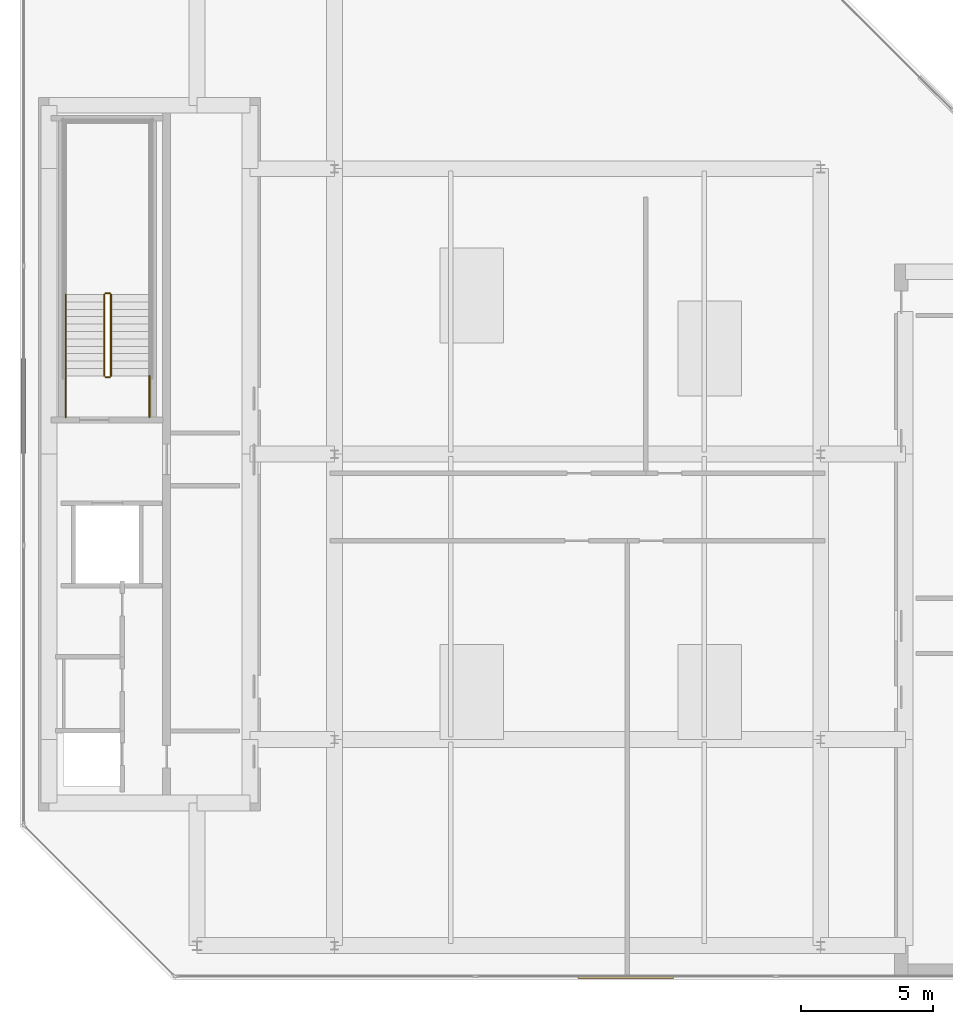
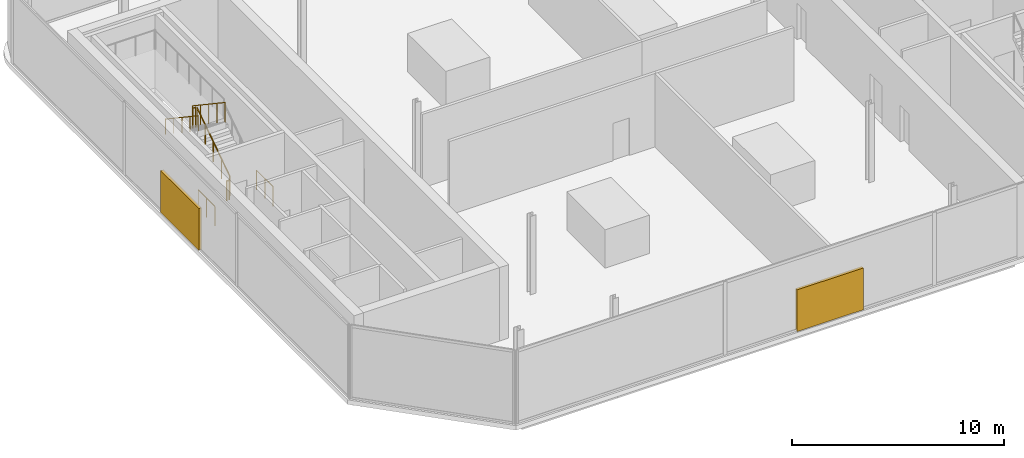
# One storey, part 12 of 15: 7 railings, 2 shading devices.
"""IFC4 building model written with IfcOpenShell, lengths in metres."""

import ifcopenshell
import ifcopenshell.guid

model = None  # the IFC model being written
_history = None  # IfcOwnerHistory: only IFC2X3 demands one
_inside = {}  # id of a spatial element -> (the spatial element, [elements in it])
_under = {}  # id of a project, library or spatial element -> (it, [spatial elements below it])
_declared = {}  # id of a project -> (the project, [libraries it declares])
_typed = {}  # id of a type object -> (the type object, [elements of that type])
_made_of = {}  # id of a material, layer set ... -> (it, [elements and type objects made of it])


def new_model(schema):
    """Start an empty IFC model of exactly this schema.

    Asked for "IFC4X3", IfcOpenShell would pick the latest addendum, in which some entities
    have other attributes; the version numbers below select the first issue.
    IFC2X3 requires an IfcOwnerHistory on every rooted entity: one is made here for all.
    """
    global model, _history
    if schema == "IFC4X3":
        model = ifcopenshell.file(schema_version=(4, 3, 0, 0))
    else:
        model = ifcopenshell.file(schema=schema)
    _inside.clear()
    _under.clear()
    _declared.clear()
    _typed.clear()
    _made_of.clear()
    _history = None
    if model.schema == "IFC2X3":
        org = make("IfcOrganization", Name="unknown")
        user = make(
            "IfcPersonAndOrganization",
            ThePerson=make("IfcPerson", FamilyName="unknown"),
            TheOrganization=org,
        )
        app = make(
            "IfcApplication",
            ApplicationDeveloper=org,
            Version="unknown",
            ApplicationFullName="unknown",
            ApplicationIdentifier="unknown",
        )
        _history = make(
            "IfcOwnerHistory",
            OwningUser=user,
            OwningApplication=app,
            ChangeAction="ADDED",
            CreationDate=0,
        )
    return model


def make(cls, **values):
    """One entity of the class cls with the attributes given. An attribute that is None is left unset."""
    return model.create_entity(
        cls, **{name: value for name, value in values.items() if value is not None}
    )


def rooted(cls, **values):
    """An entity with a GlobalId (a new one), such as an element, a storey or a relation."""
    return make(cls, GlobalId=ifcopenshell.guid.new(), OwnerHistory=_history, **values)


def si_unit(unit_type, name, prefix=None):
    """IfcSIUnit, for example si_unit("LENGTHUNIT", "METRE", prefix="MILLI")."""
    return make("IfcSIUnit", UnitType=unit_type, Prefix=prefix, Name=name)


def assignment(units):
    """IfcUnitAssignment: the units of a project."""
    return None if units is None else make("IfcUnitAssignment", Units=units)


def point(xyz):
    """IfcCartesianPoint."""
    return None if xyz is None else make("IfcCartesianPoint", Coordinates=xyz)


def direction(xyz):
    """IfcDirection."""
    return None if xyz is None else make("IfcDirection", DirectionRatios=xyz)


def frame(location, z_axis=None, x_axis=None):
    """IfcAxis2Placement3D, a coordinate frame: its origin and axes. An axis left out is left unset."""
    return make(
        "IfcAxis2Placement3D",
        Location=point(location),
        Axis=direction(z_axis),
        RefDirection=direction(x_axis),
    )


def frame_2d(location, x_axis=None):
    """IfcAxis2Placement2D, a coordinate frame in the plane: its origin and x axis."""
    return make(
        "IfcAxis2Placement2D", Location=point(location), RefDirection=direction(x_axis)
    )


def origin():
    """The frame at (0, 0, 0) with its axes left unset."""
    return frame((0.0, 0.0, 0.0))


def origin_2d():
    """The frame at (0, 0) in the plane with its x axis left unset."""
    return frame_2d((0.0, 0.0))


def place(relative_to, where):
    """IfcLocalPlacement: puts the frame where relative to a parent placement (None: the world)."""
    return make(
        "IfcLocalPlacement", PlacementRelTo=relative_to, RelativePlacement=where
    )


def context(
    kind, dimensions, precision=None, world=None, true_north=None, identifier=None
):
    """IfcGeometricRepresentationContext, for example the 3D "Model" context."""
    return make(
        "IfcGeometricRepresentationContext",
        ContextIdentifier=identifier,
        ContextType=kind,
        CoordinateSpaceDimension=dimensions,
        Precision=precision,
        WorldCoordinateSystem=world,
        TrueNorth=true_north,
    )


def subcontext(parent, identifier, kind, view, scale=None):
    """IfcGeometricRepresentationSubContext, for example "Body" below "Model"."""
    return make(
        "IfcGeometricRepresentationSubContext",
        ContextIdentifier=identifier,
        ContextType=kind,
        ParentContext=parent,
        TargetScale=scale,
        TargetView=view,
    )


def project(units=None, contexts=None):
    """IfcProject with its units and contexts."""
    return rooted(
        "IfcProject",
        Name="project",
        RepresentationContexts=contexts,
        UnitsInContext=assignment(units),
    )


def spatial(cls, under=None, at=None, **own):
    """A site, building, storey or space (cls), placed at a placement, below another one or the project."""
    s = rooted(cls, ObjectPlacement=at, **own)
    if under is not None:
        _under.setdefault(under.id(), (under, []))[1].append(s)
    return s


def profile(cls, at=None, kind="AREA", **sizes):
    """A parametric profile (cls). Its sizes go by their IFC names, for example OverallWidth=200.0."""
    return make(cls, ProfileType=kind, Position=at, **sizes)


def rectangle(**sizes):
    """IfcRectangleProfileDef."""
    return profile("IfcRectangleProfileDef", **sizes)


def circle(**sizes):
    """IfcCircleProfileDef."""
    return profile("IfcCircleProfileDef", **sizes)


def extrude(swept, where, along, depth):
    """IfcExtrudedAreaSolid: the profile swept, set in the frame where, extruded along a direction by depth."""
    return make(
        "IfcExtrudedAreaSolid",
        SweptArea=swept,
        Position=where,
        ExtrudedDirection=direction(along),
        Depth=depth,
    )


def shape(context_of_items, identifier, shape_type, items):
    """IfcShapeRepresentation: the items that make up one representation, for example the "Body"."""
    return make(
        "IfcShapeRepresentation",
        ContextOfItems=context_of_items,
        RepresentationIdentifier=identifier,
        RepresentationType=shape_type,
        Items=items,
    )


def material(Name=None, Category=None):
    """IfcMaterial."""
    return make("IfcMaterial", Name=Name, Category=Category)


def layer(
    of_material, thickness, ventilated=None, Name=None, Category=None, Priority=None
):
    """IfcMaterialLayer: one layer of a wall or slab, of a material (None: an air gap)."""
    return make(
        "IfcMaterialLayer",
        Material=of_material,
        LayerThickness=thickness,
        IsVentilated=ventilated,
        Name=Name,
        Category=Category,
        Priority=Priority,
    )


def layer_set(layers, Name=None):
    """IfcMaterialLayerSet."""
    return make("IfcMaterialLayerSet", MaterialLayers=layers, LayerSetName=Name)


def made_of(thing, what):
    """Note that an element or type object is made of a material, layer set ...; save() writes the relation."""
    if what is not None:
        _made_of.setdefault(what.id(), (what, []))[1].append(thing)
    return thing


def type_object(cls, material=None, **own):
    """A type object (cls), such as IfcWallType, which elements share."""
    return made_of(rooted(cls, **own), material)


def element(
    cls,
    number,
    at=None,
    inside=None,
    cuts=None,
    type_object=None,
    material=None,
    context=None,
    identifier="Body",
    shape_type=None,
    held_by="IfcProductDefinitionShape",
    body=None,
    shapes=None,
    **own,
):
    """One element of the class cls, such as IfcWall. Its Tag is "e" and its number.

    at: its placement. inside: the storey or other place that contains it. cuts: it is an
    opening in that element (IfcRelVoidsElement). A single representation is given by context,
    identifier, shape_type and body (its items); several are given by shapes. held_by: the class
    of the entity that holds the representations. save() writes the other relations.
    """
    e = rooted(cls, Tag="e%d" % number, ObjectPlacement=at, **own)
    if body is not None:
        shapes = [shape(context, identifier, shape_type, body)]
    if shapes is not None:
        e.Representation = make(held_by, Representations=shapes)
    if inside is not None:
        _inside.setdefault(inside.id(), (inside, []))[1].append(e)
    if cuts is not None:
        rooted(
            "IfcRelVoidsElement", RelatingBuildingElement=cuts, RelatedOpeningElement=e
        )
    if type_object is not None:
        _typed.setdefault(type_object.id(), (type_object, []))[1].append(e)
    return made_of(e, material)


def aggregate(whole, parts):
    """IfcRelAggregates: a whole, such as a stair, and the parts it consists of."""
    return rooted("IfcRelAggregates", RelatingObject=whole, RelatedObjects=parts)


def save(model, path):
    """Write the relations noted so far, then the file.

    IfcRelAggregates (storeys below a building ...), IfcRelContainedInSpatialStructure (elements
    in a storey), IfcRelDefinesByType, IfcRelAssociatesMaterial and IfcRelDeclares: one each for
    every whole, place, type object, material and project.
    """
    for whole, parts in _under.values():
        aggregate(whole, parts)
    for where, things in _inside.values():
        rooted(
            "IfcRelContainedInSpatialStructure",
            RelatedElements=things,
            RelatingStructure=where,
        )
    for kind, things in _typed.values():
        rooted("IfcRelDefinesByType", RelatedObjects=things, RelatingType=kind)
    for what, things in _made_of.values():
        rooted("IfcRelAssociatesMaterial", RelatedObjects=things, RelatingMaterial=what)
    for by, libraries in _declared.values():
        rooted("IfcRelDeclares", RelatingContext=by, RelatedDefinitions=libraries)
    model.write(path)


model = new_model("IFC4")

# Units and contexts
model_context = context("Model", 3, precision=1e-05, world=origin(), true_north=direction((0.0, 1.0)))
body_context = subcontext(model_context, "Body", "Model", "MODEL_VIEW")
ifc_project = project(units=[si_unit("LENGTHUNIT", "METRE"), si_unit("AREAUNIT", "SQUARE_METRE"), si_unit("VOLUMEUNIT", "CUBIC_METRE"), si_unit("PLANEANGLEUNIT", "RADIAN"), si_unit("MASSUNIT", "GRAM", prefix="KILO")], contexts=[model_context])

# Site, building, storey
site_placement = place(None, origin())
site = spatial("IfcSite", under=ifc_project, at=site_placement, CompositionType="ELEMENT")
building_placement = place(site_placement, origin())
building = spatial("IfcBuilding", under=site, at=building_placement, Name="Khairoan Windgate Tower", CompositionType="ELEMENT")
storey_placement = place(building_placement, frame((0.0, 0.0, 335.0)))
storey = spatial("IfcBuildingStorey", under=building, at=storey_placement, Name="L80", CompositionType="ELEMENT", Elevation=335.0)

# Shading devices
ifc_material_1 = material(Name="Anodised Bronze Aluminium 6063-T6", Category="aluminium")
ifc_layer = layer(ifc_material_1, 0.14990234375, Name="Anodised Bronze Aluminium 6063-T6")
ifc_layer_set = layer_set([ifc_layer], Name="Anodised Bronze Aluminium 6063-T6")
shading_device_type = type_object("IfcShadingDeviceType", Name="Acoustic Bronze Plant Weather Louvre BWL-1", PredefinedType="JALOUSIE", material=ifc_layer_set)
for number, where, z_axis, x_axis, name in (
    (1, (1.824462890625, -19.760009765625, 0.0), (0.0, 0.0, 1.0), (-1.0, 0.0, 0.0), "L80 Acoustic Bronze Plant Louvre 0"),
    (2, (-20.9599609375, 1.824462890625, 0.0), (0.0, 0.0, 1.0), (0.0, 1.0, 0.0), "L80 Acoustic Bronze Plant Louvre 2"),
):
    element("IfcShadingDevice", number, at=place(storey_placement, frame(where, z_axis=z_axis, x_axis=x_axis)), inside=storey, type_object=shading_device_type, Name=name, PredefinedType="JALOUSIE", context=body_context, shape_type="SweptSolid", body=[
        extrude(rectangle(XDim=3.60009765625, YDim=0.14990234375, at=origin_2d()), origin(), (0.0, 0.0, 1.0), 2.39990234375),
    ])

# Railings
ifc_material_2 = material(Name="Anodised Bronze Aluminium 6063-T6", Category="aluminium")
railing_type_1 = type_object("IfcRailingType", Name="Stair Wall Handrail SHR-900", PredefinedType="HANDRAIL", material=ifc_material_2)
railing_1_placement = place(storey_placement, frame((-19.3701171875, 6.0400390625, 2.4375)))
element("IfcRailing", 3, at=railing_1_placement, inside=storey, type_object=railing_type_1, Name="L80 ST2 stair handrail 2", PredefinedType="HANDRAIL", context=body_context, shape_type="SweptSolid", body=[
    extrude(circle(Radius=0.02392578125, at=origin_2d()), frame((0.0, 0.0, 0.8759765625), z_axis=(0.0, -0.830913701846, 0.55640131208), x_axis=(1.0, 0.0, 0.0)), (0.0, 0.0, 1.0), 3.706787109375),
    extrude(circle(Radius=0.02099609375, at=origin_2d()), origin(), (0.0, 0.0, 1.0), 0.851806640625),
    extrude(circle(Radius=0.02099609375, at=origin_2d()), frame((0.0, -0.77001953125, 0.515625)), (0.0, 0.0, 1.0), 0.851806640625),
    extrude(circle(Radius=0.02099609375, at=origin_2d()), frame((0.0, -1.5400390625, 1.03125)), (0.0, 0.0, 1.0), 0.851806640625),
    extrude(circle(Radius=0.02099609375, at=origin_2d()), frame((0.0, -2.31005859375, 1.546875)), (0.0, 0.0, 1.0), 0.851806640625),
    extrude(circle(Radius=0.02099609375, at=origin_2d()), frame((0.0, -3.080078125, 2.0625)), (0.0, 0.0, 1.0), 0.851806640625),
])
ifc_material_3 = material(Name="Steel S355", Category="steel")
railing_type_2 = type_object("IfcRailingType", Name="Stairwell Safety Guardrail SGR-1150", PredefinedType="GUARDRAIL", material=ifc_material_3)
railing_2_placement = place(storey_placement, frame((-17.659912109375, 2.9599609375, 0.1875)))
element("IfcRailing", 4, at=railing_2_placement, inside=storey, type_object=railing_type_2, Name="L80 ST2 stair guard 1", PredefinedType="GUARDRAIL", context=body_context, shape_type="SweptSolid", body=[
    extrude(circle(Radius=0.02392578125, at=origin_2d()), frame((0.0, 0.0, 1.1259765625), z_axis=(0.0, 0.830913701846, 0.55640131208), x_axis=(-1.0, 0.0, 0.0)), (0.0, 0.0, 1.0), 3.706787109375),
    extrude(circle(Radius=0.02099609375, at=origin_2d()), origin(), (0.0, 0.0, 1.0), 1.101806640625),
    extrude(circle(Radius=0.02099609375, at=origin_2d()), frame((0.0, 0.77001953125, 0.515625)), (0.0, 0.0, 1.0), 1.101806640625),
    extrude(circle(Radius=0.02099609375, at=origin_2d()), frame((0.0, 1.5400390625, 1.03125)), (0.0, 0.0, 1.0), 1.101806640625),
    extrude(circle(Radius=0.02099609375, at=origin_2d()), frame((0.0, 2.31005859375, 1.546875)), (0.0, 0.0, 1.0), 1.101806640625),
    extrude(circle(Radius=0.02099609375, at=origin_2d()), frame((0.0, 3.080078125, 2.0625)), (0.0, 0.0, 1.0), 1.101806640625),
])
railing_3_placement = place(storey_placement, frame((-17.7099609375, 6.090087890625, 2.25)))
element("IfcRailing", 5, at=railing_3_placement, inside=storey, type_object=railing_type_2, Name="L80 ST2 stair guard 2", PredefinedType="GUARDRAIL", context=body_context, shape_type="SweptSolid", body=[
    extrude(circle(Radius=0.02392578125, at=origin_2d()), frame((0.0, 0.0, 1.1259765625), z_axis=(-1.0, 0.0, 0.0), x_axis=(0.0, -1.0, 0.0)), (0.0, 0.0, 1.0), 0.150146484375),
    extrude(circle(Radius=0.02099609375, at=origin_2d()), origin(), (0.0, 0.0, 1.0), 1.101806640625),
    extrude(circle(Radius=0.02099609375, at=origin_2d()), frame((-0.150146484375, 0.0, 0.0)), (0.0, 0.0, 1.0), 1.101806640625),
])
railing_4_placement = place(storey_placement, frame((-17.909912109375, 6.0400390625, 2.4375)))
element("IfcRailing", 6, at=railing_4_placement, inside=storey, type_object=railing_type_2, Name="L80 ST2 stair guard 6", PredefinedType="GUARDRAIL", context=body_context, shape_type="SweptSolid", body=[
    extrude(circle(Radius=0.02392578125, at=origin_2d()), frame((0.0, 0.0, 1.1259765625), z_axis=(0.0, -0.830913701846, 0.55640131208), x_axis=(1.0, 0.0, 0.0)), (0.0, 0.0, 1.0), 3.706787109375),
    extrude(circle(Radius=0.02099609375, at=origin_2d()), origin(), (0.0, 0.0, 1.0), 1.101806640625),
    extrude(circle(Radius=0.02099609375, at=origin_2d()), frame((0.0, -0.77001953125, 0.515625)), (0.0, 0.0, 1.0), 1.101806640625),
    extrude(circle(Radius=0.02099609375, at=origin_2d()), frame((0.0, -1.5400390625, 1.03125)), (0.0, 0.0, 1.0), 1.101806640625),
    extrude(circle(Radius=0.02099609375, at=origin_2d()), frame((0.0, -2.31005859375, 1.546875)), (0.0, 0.0, 1.0), 1.101806640625),
    extrude(circle(Radius=0.02099609375, at=origin_2d()), frame((0.0, -3.080078125, 2.0625)), (0.0, 0.0, 1.0), 1.101806640625),
])
railing_5_placement = place(storey_placement, frame((-17.7099609375, 2.909912109375, 0.0)))
element("IfcRailing", 7, at=railing_5_placement, inside=storey, type_object=railing_type_2, Name="L80 ST2 stair guard 7", PredefinedType="GUARDRAIL", context=body_context, shape_type="SweptSolid", body=[
    extrude(circle(Radius=0.02392578125, at=origin_2d()), frame((0.0, 0.0, 1.1259765625), z_axis=(-1.0, 0.0, 0.0), x_axis=(0.0, -1.0, 0.0)), (0.0, 0.0, 1.0), 0.150146484375),
    extrude(circle(Radius=0.02099609375, at=origin_2d()), origin(), (0.0, 0.0, 1.0), 1.101806640625),
    extrude(circle(Radius=0.02099609375, at=origin_2d()), frame((-0.150146484375, 0.0, 0.0)), (0.0, 0.0, 1.0), 1.101806640625),
])
for number, where, name in (
    (8, (-16.199951171875, 1.39990234375, 0.0), "L80 ST2 stair guard 8"),
    (9, (-19.3701171875, 1.39990234375, 0.0), "L80 ST2 stair guard 9"),
):
    element("IfcRailing", number, at=place(storey_placement, frame(where)), inside=storey, type_object=railing_type_2, Name=name, PredefinedType="GUARDRAIL", context=body_context, shape_type="SweptSolid", body=[
        extrude(circle(Radius=0.02392578125, at=origin_2d()), frame((0.0, 0.0, 1.1259765625), z_axis=(0.0, 1.0, 0.0), x_axis=(-1.0, 0.0, 0.0)), (0.0, 0.0, 1.0), 1.56005859375),
        extrude(circle(Radius=0.02099609375, at=origin_2d()), origin(), (0.0, 0.0, 1.0), 1.101806640625),
        extrude(circle(Radius=0.02099609375, at=origin_2d()), frame((0.0, 0.780029296875, 0.0)), (0.0, 0.0, 1.0), 1.101806640625),
        extrude(circle(Radius=0.02099609375, at=origin_2d()), frame((0.0, 1.56005859375, 0.0)), (0.0, 0.0, 1.0), 1.101806640625),
    ])

save(model, "model.ifc")
